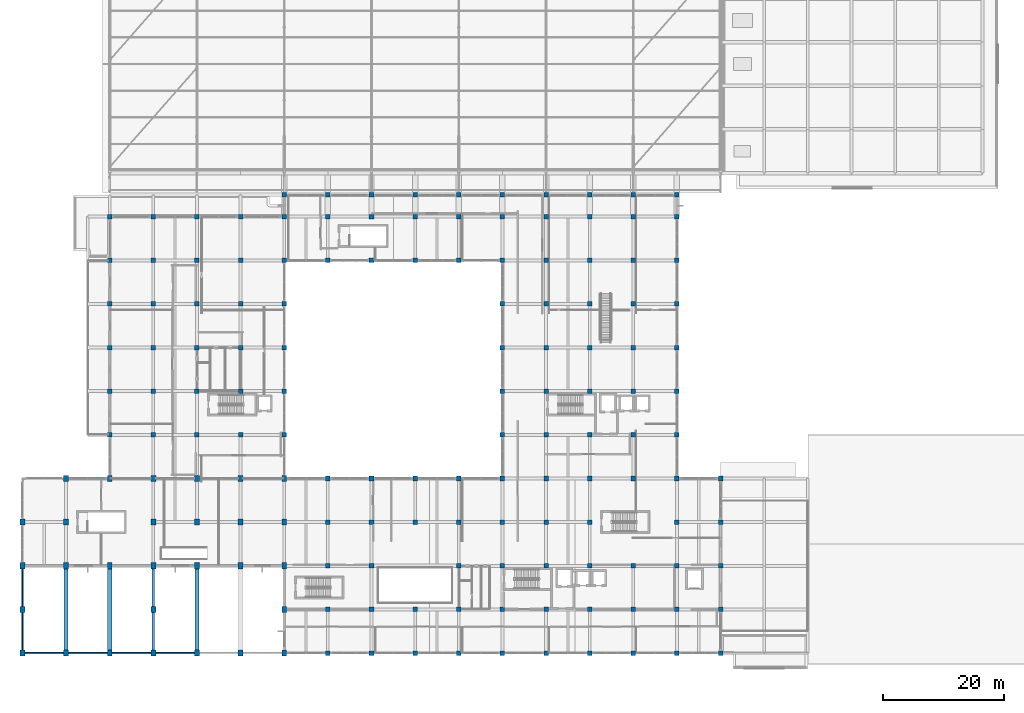
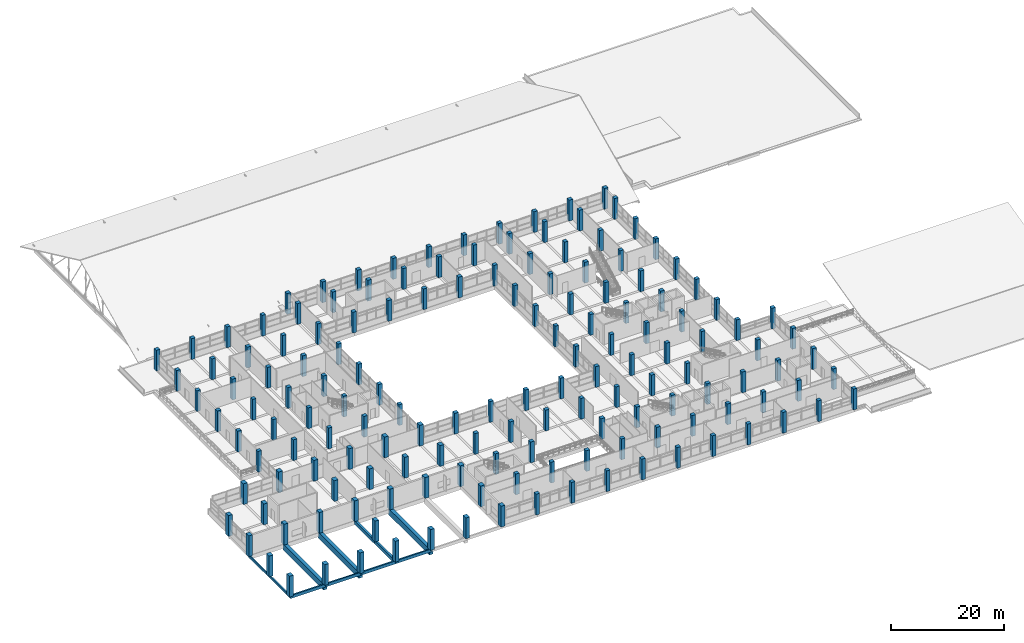
# One storey, part 1 of 141: 155 columns, 11 beams.
"""IFC4 building model written with IfcOpenShell, lengths in metres."""

from ifc_helpers import new_model, si_unit, direction, frame, origin, origin_2d, place, context, subcontext, project, spatial, rectangle, extrude, material, material_profile, profile_set, type_object, element, save


model = new_model("IFC4")

# Units and contexts
model_context = context("Model", 3, precision=1e-05, world=origin(), true_north=direction((0.0, 1.0)))
body_context = subcontext(model_context, "Body", "Model", "MODEL_VIEW")
ifc_project = project(units=[si_unit("LENGTHUNIT", "METRE"), si_unit("AREAUNIT", "SQUARE_METRE"), si_unit("VOLUMEUNIT", "CUBIC_METRE"), si_unit("PLANEANGLEUNIT", "RADIAN"), si_unit("MASSUNIT", "GRAM", prefix="KILO")], contexts=[model_context])

# Site, building, storey
site_placement = place(None, origin())
site = spatial("IfcSite", under=ifc_project, at=site_placement, CompositionType="ELEMENT")
building_placement = place(site_placement, origin())
building = spatial("IfcBuilding", under=site, at=building_placement, Name="Seraya Terrace Polytechnic", CompositionType="ELEMENT")
storey_placement = place(building_placement, frame((0.0, 0.0, 14.39990234375)))
storey = spatial("IfcBuildingStorey", under=building, at=storey_placement, Name="L03", CompositionType="ELEMENT", Elevation=14.39990234375)

# Columns
ifc_material = material(Name="Concrete C40/50", Category="concrete")
ifc_material_profile_1 = material_profile(ifc_material, rectangle(XDim=0.75, YDim=0.75, at=origin_2d()), Name="RC 750x750")
ifc_profile_set_1 = profile_set([ifc_material_profile_1], Name="Concrete C40/50")
column_type_1 = type_object("IfcColumnType", Name="C-06", PredefinedType="COLUMN", material=ifc_profile_set_1)
for number, where, z_axis, x_axis, name in (
    (1, (14.39990234375, 36.0, 0.0), (0.0, 0.0, 1.0), (1.0, 0.0, 0.0), "Column C-06 L03 (14.4, 36.0)"),
    (2, (14.39990234375, 43.199951171875, 0.0), (0.0, 0.0, 1.0), (1.0, 0.0, 0.0), "Column C-06 L03 (14.4, 43.2)"),
    (3, (14.39990234375, 50.39990234375, 0.0), (0.0, 0.0, 1.0), (1.0, 0.0, 0.0), "Column C-06 L03 (14.4, 50.4)"),
    (4, (14.39990234375, 57.60009765625, 0.0), (0.0, 0.0, 1.0), (1.0, 0.0, 0.0), "Column C-06 L03 (14.4, 57.6)"),
    (5, (14.39990234375, 64.800048828125, 0.0), (0.0, 0.0, 1.0), (1.0, 0.0, 0.0), "Column C-06 L03 (14.4, 64.8)"),
    (6, (14.39990234375, 72.0, 0.0), (0.0, 0.0, 1.0), (1.0, 0.0, 0.0), "Column C-06 L03 (14.4, 72.0)"),
    (7, (21.60009765625, 36.0, 0.0), (0.0, 0.0, 1.0), (1.0, 0.0, 0.0), "Column C-06 L03 (21.6, 36.0)"),
    (8, (21.60009765625, 43.199951171875, 0.0), (0.0, 0.0, 1.0), (1.0, 0.0, 0.0), "Column C-06 L03 (21.6, 43.2)"),
    (9, (21.60009765625, 50.39990234375, 0.0), (0.0, 0.0, 1.0), (1.0, 0.0, 0.0), "Column C-06 L03 (21.6, 50.4)"),
    (10, (21.60009765625, 57.60009765625, 0.0), (0.0, 0.0, 1.0), (1.0, 0.0, 0.0), "Column C-06 L03 (21.6, 57.6)"),
    (11, (21.60009765625, 64.800048828125, 0.0), (0.0, 0.0, 1.0), (1.0, 0.0, 0.0), "Column C-06 L03 (21.6, 64.8)"),
    (12, (21.60009765625, 72.0, 0.0), (0.0, 0.0, 1.0), (1.0, 0.0, 0.0), "Column C-06 L03 (21.6, 72.0)"),
    (13, (28.800048828125, 36.0, 0.0), (0.0, 0.0, 1.0), (1.0, 0.0, 0.0), "Column C-06 L03 (28.8, 36.0)"),
    (14, (28.800048828125, 43.199951171875, 0.0), (0.0, 0.0, 1.0), (1.0, 0.0, 0.0), "Column C-06 L03 (28.8, 43.2)"),
    (15, (28.800048828125, 50.39990234375, 0.0), (0.0, 0.0, 1.0), (1.0, 0.0, 0.0), "Column C-06 L03 (28.8, 50.4)"),
    (16, (28.800048828125, 57.60009765625, 0.0), (0.0, 0.0, 1.0), (1.0, 0.0, 0.0), "Column C-06 L03 (28.8, 57.6)"),
    (17, (28.800048828125, 64.800048828125, 0.0), (0.0, 0.0, 1.0), (1.0, 0.0, 0.0), "Column C-06 L03 (28.8, 64.8)"),
    (18, (28.800048828125, 72.0, 0.0), (0.0, 0.0, 1.0), (1.0, 0.0, 0.0), "Column C-06 L03 (28.8, 72.0)"),
    (19, (36.0, 36.0, 0.0), (0.0, 0.0, 1.0), (1.0, 0.0, 0.0), "Column C-06 L03 (36.0, 36.0)"),
    (20, (36.0, 43.199951171875, 0.0), (0.0, 0.0, 1.0), (1.0, 0.0, 0.0), "Column C-06 L03 (36.0, 43.2)"),
    (21, (36.0, 50.39990234375, 0.0), (0.0, 0.0, 1.0), (1.0, 0.0, 0.0), "Column C-06 L03 (36.0, 50.4)"),
    (22, (36.0, 57.60009765625, 0.0), (0.0, 0.0, 1.0), (1.0, 0.0, 0.0), "Column C-06 L03 (36.0, 57.6)"),
    (23, (36.0, 64.800048828125, 0.0), (0.0, 0.0, 1.0), (1.0, 0.0, 0.0), "Column C-06 L03 (36.0, 64.8)"),
    (24, (36.0, 72.0, 0.0), (0.0, 0.0, 1.0), (1.0, 0.0, 0.0), "Column C-06 L03 (36.0, 72.0)"),
    (25, (43.199951171875, 36.0, 0.0), (0.0, 0.0, 1.0), (1.0, 0.0, 0.0), "Column C-06 L03 (43.2, 36.0)"),
    (26, (43.199951171875, 43.199951171875, 0.0), (0.0, 0.0, 1.0), (1.0, 0.0, 0.0), "Column C-06 L03 (43.2, 43.2)"),
    (27, (43.199951171875, 50.39990234375, 0.0), (0.0, 0.0, 1.0), (1.0, 0.0, 0.0), "Column C-06 L03 (43.2, 50.4)"),
    (28, (43.199951171875, 57.60009765625, 0.0), (0.0, 0.0, 1.0), (1.0, 0.0, 0.0), "Column C-06 L03 (43.2, 57.6)"),
    (29, (43.199951171875, 64.800048828125, 0.0), (0.0, 0.0, 1.0), (1.0, 0.0, 0.0), "Column C-06 L03 (43.2, 64.8)"),
    (30, (43.199951171875, 72.0, 0.0), (0.0, 0.0, 1.0), (1.0, 0.0, 0.0), "Column C-06 L03 (43.2, 72.0)"),
    (31, (43.199951171875, 75.60009765625, 0.0), (0.0, 0.0, 1.0), (1.0, 0.0, 0.0), "Column C-06 L03 (43.2, 75.6)"),
    (32, (50.39990234375, 0.0, 0.0), (0.0, 0.0, 1.0), (1.0, 0.0, 0.0), "Column C-06 L03 (50.4, 0.0)"),
    (33, (50.39990234375, 7.199951171875, 0.0), (0.0, 0.0, 1.0), (1.0, 0.0, 0.0), "Column C-06 L03 (50.4, 7.2)"),
    (34, (50.39990234375, 14.39990234375, 0.0), (0.0, 0.0, 1.0), (1.0, 0.0, 0.0), "Column C-06 L03 (50.4, 14.4)"),
    (35, (50.39990234375, 21.60009765625, 0.0), (0.0, 0.0, 1.0), (1.0, 0.0, 0.0), "Column C-06 L03 (50.4, 21.6)"),
    (36, (50.39990234375, 28.800048828125, 0.0), (0.0, 0.0, 1.0), (1.0, 0.0, 0.0), "Column C-06 L03 (50.4, 28.8)"),
    (37, (50.39990234375, 64.800048828125, 0.0), (0.0, 0.0, 1.0), (1.0, 0.0, 0.0), "Column C-06 L03 (50.4, 64.8)"),
    (38, (50.39990234375, 72.0, 0.0), (0.0, 0.0, 1.0), (1.0, 0.0, 0.0), "Column C-06 L03 (50.4, 72.0)"),
    (39, (50.39990234375, 75.60009765625, 0.0), (0.0, 0.0, 1.0), (1.0, 0.0, 0.0), "Column C-06 L03 (50.4, 75.6)"),
    (40, (57.60009765625, 0.0, 0.0), (0.0, 0.0, 1.0), (1.0, 0.0, 0.0), "Column C-06 L03 (57.6, 0.0)"),
    (41, (57.60009765625, 7.199951171875, 0.0), (0.0, 0.0, 1.0), (1.0, 0.0, 0.0), "Column C-06 L03 (57.6, 7.2)"),
    (42, (57.60009765625, 14.39990234375, 0.0), (0.0, 0.0, 1.0), (1.0, 0.0, 0.0), "Column C-06 L03 (57.6, 14.4)"),
    (43, (57.60009765625, 21.60009765625, 0.0), (0.0, 0.0, 1.0), (1.0, 0.0, 0.0), "Column C-06 L03 (57.6, 21.6)"),
    (44, (57.60009765625, 28.800048828125, 0.0), (0.0, 0.0, 1.0), (1.0, 0.0, 0.0), "Column C-06 L03 (57.6, 28.8)"),
    (45, (57.60009765625, 64.800048828125, 0.0), (0.0, 0.0, 1.0), (1.0, 0.0, 0.0), "Column C-06 L03 (57.6, 64.8)"),
    (46, (57.60009765625, 72.0, 0.0), (0.0, 0.0, 1.0), (1.0, 0.0, 0.0), "Column C-06 L03 (57.6, 72.0)"),
    (47, (57.60009765625, 75.60009765625, 0.0), (0.0, 0.0, 1.0), (1.0, 0.0, 0.0), "Column C-06 L03 (57.6, 75.6)"),
    (48, (64.800048828125, 0.0, 0.0), (0.0, 0.0, 1.0), (1.0, 0.0, 0.0), "Column C-06 L03 (64.8, 0.0)"),
    (49, (64.800048828125, 7.199951171875, 0.0), (0.0, 0.0, 1.0), (1.0, 0.0, 0.0), "Column C-06 L03 (64.8, 7.2)"),
    (50, (64.800048828125, 21.60009765625, 0.0), (0.0, 0.0, 1.0), (1.0, 0.0, 0.0), "Column C-06 L03 (64.8, 21.6)"),
    (51, (64.800048828125, 28.800048828125, 0.0), (0.0, 0.0, 1.0), (1.0, 0.0, 0.0), "Column C-06 L03 (64.8, 28.8)"),
    (52, (64.800048828125, 64.800048828125, 0.0), (0.0, 0.0, 1.0), (1.0, 0.0, 0.0), "Column C-06 L03 (64.8, 64.8)"),
    (53, (64.800048828125, 72.0, 0.0), (0.0, 0.0, 1.0), (1.0, 0.0, 0.0), "Column C-06 L03 (64.8, 72.0)"),
    (54, (64.800048828125, 75.60009765625, 0.0), (0.0, 0.0, 1.0), (1.0, 0.0, 0.0), "Column C-06 L03 (64.8, 75.6)"),
    (55, (72.0, 0.0, 0.0), (0.0, 0.0, 1.0), (1.0, 0.0, 0.0), "Column C-06 L03 (72.0, 0.0)"),
    (56, (72.0, 7.199951171875, 0.0), (0.0, 0.0, 1.0), (1.0, 0.0, 0.0), "Column C-06 L03 (72.0, 7.2)"),
    (57, (72.0, 14.39990234375, 0.0), (0.0, 0.0, 1.0), (1.0, 0.0, 0.0), "Column C-06 L03 (72.0, 14.4)"),
    (58, (72.0, 21.60009765625, 0.0), (0.0, 0.0, 1.0), (1.0, 0.0, 0.0), "Column C-06 L03 (72.0, 21.6)"),
    (59, (72.0, 28.800048828125, 0.0), (0.0, 0.0, 1.0), (1.0, 0.0, 0.0), "Column C-06 L03 (72.0, 28.8)"),
    (60, (72.0, 64.800048828125, 0.0), (0.0, 0.0, 1.0), (1.0, 0.0, 0.0), "Column C-06 L03 (72.0, 64.8)"),
    (61, (72.0, 72.0, 0.0), (0.0, 0.0, 1.0), (1.0, 0.0, 0.0), "Column C-06 L03 (72.0, 72.0)"),
    (62, (72.0, 75.60009765625, 0.0), (0.0, 0.0, 1.0), (1.0, 0.0, 0.0), "Column C-06 L03 (72.0, 75.6)"),
    (63, (79.199951171875, 0.0, 0.0), (0.0, 0.0, 1.0), (1.0, 0.0, 0.0), "Column C-06 L03 (79.2, 0.0)"),
    (64, (79.199951171875, 7.199951171875, 0.0), (0.0, 0.0, 1.0), (1.0, 0.0, 0.0), "Column C-06 L03 (79.2, 7.2)"),
    (65, (79.199951171875, 14.39990234375, 0.0), (0.0, 0.0, 1.0), (1.0, 0.0, 0.0), "Column C-06 L03 (79.2, 14.4)"),
    (66, (79.199951171875, 21.60009765625, 0.0), (0.0, 0.0, 1.0), (1.0, 0.0, 0.0), "Column C-06 L03 (79.2, 21.6)"),
    (67, (79.199951171875, 28.800048828125, 0.0), (0.0, 0.0, 1.0), (1.0, 0.0, 0.0), "Column C-06 L03 (79.2, 28.8)"),
    (68, (79.199951171875, 36.0, 0.0), (0.0, 0.0, 1.0), (1.0, 0.0, 0.0), "Column C-06 L03 (79.2, 36.0)"),
    (69, (79.199951171875, 43.199951171875, 0.0), (0.0, 0.0, 1.0), (1.0, 0.0, 0.0), "Column C-06 L03 (79.2, 43.2)"),
    (70, (79.199951171875, 50.39990234375, 0.0), (0.0, 0.0, 1.0), (1.0, 0.0, 0.0), "Column C-06 L03 (79.2, 50.4)"),
    (71, (79.199951171875, 57.60009765625, 0.0), (0.0, 0.0, 1.0), (1.0, 0.0, 0.0), "Column C-06 L03 (79.2, 57.6)"),
    (72, (79.199951171875, 64.800048828125, 0.0), (0.0, 0.0, 1.0), (1.0, 0.0, 0.0), "Column C-06 L03 (79.2, 64.8)"),
    (73, (79.199951171875, 72.0, 0.0), (0.0, 0.0, 1.0), (1.0, 0.0, 0.0), "Column C-06 L03 (79.2, 72.0)"),
    (74, (79.199951171875, 75.60009765625, 0.0), (0.0, 0.0, 1.0), (1.0, 0.0, 0.0), "Column C-06 L03 (79.2, 75.6)"),
    (75, (86.39990234375, 0.0, 0.0), (0.0, 0.0, 1.0), (1.0, 0.0, 0.0), "Column C-06 L03 (86.4, 0.0)"),
    (76, (86.39990234375, 7.199951171875, 0.0), (0.0, 0.0, 1.0), (1.0, 0.0, 0.0), "Column C-06 L03 (86.4, 7.2)"),
    (77, (86.39990234375, 14.39990234375, 0.0), (0.0, 0.0, 1.0), (1.0, 0.0, 0.0), "Column C-06 L03 (86.4, 14.4)"),
    (78, (86.39990234375, 21.60009765625, 0.0), (0.0, 0.0, 1.0), (1.0, 0.0, 0.0), "Column C-06 L03 (86.4, 21.6)"),
    (79, (86.39990234375, 28.800048828125, 0.0), (0.0, 0.0, 1.0), (1.0, 0.0, 0.0), "Column C-06 L03 (86.4, 28.8)"),
    (80, (86.39990234375, 36.0, 0.0), (0.0, 0.0, 1.0), (1.0, 0.0, 0.0), "Column C-06 L03 (86.4, 36.0)"),
    (81, (86.39990234375, 43.199951171875, 0.0), (0.0, 0.0, 1.0), (1.0, 0.0, 0.0), "Column C-06 L03 (86.4, 43.2)"),
    (82, (86.39990234375, 50.39990234375, 0.0), (0.0, 0.0, 1.0), (1.0, 0.0, 0.0), "Column C-06 L03 (86.4, 50.4)"),
    (83, (86.39990234375, 57.60009765625, 0.0), (0.0, 0.0, 1.0), (1.0, 0.0, 0.0), "Column C-06 L03 (86.4, 57.6)"),
    (84, (86.39990234375, 64.800048828125, 0.0), (0.0, 0.0, 1.0), (1.0, 0.0, 0.0), "Column C-06 L03 (86.4, 64.8)"),
    (85, (86.39990234375, 72.0, 0.0), (0.0, 0.0, 1.0), (1.0, 0.0, 0.0), "Column C-06 L03 (86.4, 72.0)"),
    (86, (86.39990234375, 75.60009765625, 0.0), (0.0, 0.0, 1.0), (1.0, 0.0, 0.0), "Column C-06 L03 (86.4, 75.6)"),
    (87, (93.60009765625, 0.0, 0.0), (0.0, 0.0, 1.0), (1.0, 0.0, 0.0), "Column C-06 L03 (93.6, 0.0)"),
    (88, (93.60009765625, 7.199951171875, 0.0), (0.0, 0.0, 1.0), (1.0, 0.0, 0.0), "Column C-06 L03 (93.6, 7.2)"),
    (89, (93.60009765625, 14.39990234375, 0.0), (0.0, 0.0, 1.0), (1.0, 0.0, 0.0), "Column C-06 L03 (93.6, 14.4)"),
    (90, (93.60009765625, 21.60009765625, 0.0), (0.0, 0.0, 1.0), (1.0, 0.0, 0.0), "Column C-06 L03 (93.6, 21.6)"),
    (91, (93.60009765625, 28.800048828125, 0.0), (0.0, 0.0, 1.0), (1.0, 0.0, 0.0), "Column C-06 L03 (93.6, 28.8)"),
    (92, (93.60009765625, 36.0, 0.0), (0.0, 0.0, 1.0), (1.0, 0.0, 0.0), "Column C-06 L03 (93.6, 36.0)"),
    (93, (93.60009765625, 43.199951171875, 0.0), (0.0, 0.0, 1.0), (1.0, 0.0, 0.0), "Column C-06 L03 (93.6, 43.2)"),
    (94, (93.60009765625, 50.39990234375, 0.0), (0.0, 0.0, 1.0), (1.0, 0.0, 0.0), "Column C-06 L03 (93.6, 50.4)"),
    (95, (93.60009765625, 57.60009765625, 0.0), (0.0, 0.0, 1.0), (1.0, 0.0, 0.0), "Column C-06 L03 (93.6, 57.6)"),
    (96, (93.60009765625, 64.800048828125, 0.0), (0.0, 0.0, 1.0), (1.0, 0.0, 0.0), "Column C-06 L03 (93.6, 64.8)"),
    (97, (93.60009765625, 72.0, 0.0), (0.0, 0.0, 1.0), (1.0, 0.0, 0.0), "Column C-06 L03 (93.6, 72.0)"),
    (98, (93.60009765625, 75.60009765625, 0.0), (0.0, 0.0, 1.0), (1.0, 0.0, 0.0), "Column C-06 L03 (93.6, 75.6)"),
    (99, (100.800048828125, 0.0, 0.0), (0.0, 0.0, 1.0), (1.0, 0.0, 0.0), "Column C-06 L03 (100.8, 0.0)"),
    (100, (100.800048828125, 7.199951171875, 0.0), (0.0, 0.0, 1.0), (1.0, 0.0, 0.0), "Column C-06 L03 (100.8, 7.2)"),
    (101, (100.800048828125, 14.39990234375, 0.0), (0.0, 0.0, 1.0), (1.0, 0.0, 0.0), "Column C-06 L03 (100.8, 14.4)"),
    (102, (100.800048828125, 28.800048828125, 0.0), (0.0, 0.0, 1.0), (1.0, 0.0, 0.0), "Column C-06 L03 (100.8, 28.8)"),
    (103, (100.800048828125, 36.0, 0.0), (0.0, 0.0, 1.0), (1.0, 0.0, 0.0), "Column C-06 L03 (100.8, 36.0)"),
    (104, (100.800048828125, 43.199951171875, 0.0), (0.0, 0.0, 1.0), (1.0, 0.0, 0.0), "Column C-06 L03 (100.8, 43.2)"),
    (105, (100.800048828125, 50.39990234375, 0.0), (0.0, 0.0, 1.0), (1.0, 0.0, 0.0), "Column C-06 L03 (100.8, 50.4)"),
    (106, (100.800048828125, 57.60009765625, 0.0), (0.0, 0.0, 1.0), (1.0, 0.0, 0.0), "Column C-06 L03 (100.8, 57.6)"),
    (107, (100.800048828125, 64.800048828125, 0.0), (0.0, 0.0, 1.0), (1.0, 0.0, 0.0), "Column C-06 L03 (100.8, 64.8)"),
    (108, (100.800048828125, 72.0, 0.0), (0.0, 0.0, 1.0), (1.0, 0.0, 0.0), "Column C-06 L03 (100.8, 72.0)"),
    (109, (100.800048828125, 75.60009765625, 0.0), (0.0, 0.0, 1.0), (1.0, 0.0, 0.0), "Column C-06 L03 (100.8, 75.6)"),
    (110, (108.0, 0.0, 0.0), (0.0, 0.0, 1.0), (1.0, 0.0, 0.0), "Column C-06 L03 (108.0, 0.0)"),
    (111, (108.0, 7.199951171875, 0.0), (0.0, 0.0, 1.0), (1.0, 0.0, 0.0), "Column C-06 L03 (108.0, 7.2)"),
    (112, (108.0, 14.39990234375, 0.0), (0.0, 0.0, 1.0), (1.0, 0.0, 0.0), "Column C-06 L03 (108.0, 14.4)"),
    (113, (108.0, 21.60009765625, 0.0), (0.0, 0.0, 1.0), (1.0, 0.0, 0.0), "Column C-06 L03 (108.0, 21.6)"),
    (114, (108.0, 28.800048828125, 0.0), (0.0, 0.0, 1.0), (1.0, 0.0, 0.0), "Column C-06 L03 (108.0, 28.8)"),
    (115, (108.0, 36.0, 0.0), (0.0, 0.0, 1.0), (1.0, 0.0, 0.0), "Column C-06 L03 (108.0, 36.0)"),
    (116, (108.0, 43.199951171875, 0.0), (0.0, 0.0, 1.0), (1.0, 0.0, 0.0), "Column C-06 L03 (108.0, 43.2)"),
    (117, (108.0, 50.39990234375, 0.0), (0.0, 0.0, 1.0), (1.0, 0.0, 0.0), "Column C-06 L03 (108.0, 50.4)"),
    (118, (108.0, 57.60009765625, 0.0), (0.0, 0.0, 1.0), (1.0, 0.0, 0.0), "Column C-06 L03 (108.0, 57.6)"),
    (119, (108.0, 64.800048828125, 0.0), (0.0, 0.0, 1.0), (1.0, 0.0, 0.0), "Column C-06 L03 (108.0, 64.8)"),
    (120, (108.0, 72.0, 0.0), (0.0, 0.0, 1.0), (1.0, 0.0, 0.0), "Column C-06 L03 (108.0, 72.0)"),
    (121, (108.0, 75.60009765625, 0.0), (0.0, 0.0, 1.0), (1.0, 0.0, 0.0), "Column C-06 L03 (108.0, 75.6)"),
    (122, (115.199951171875, 0.0, 0.0), (0.0, 0.0, 1.0), (1.0, 0.0, 0.0), "Column C-06 L03 (115.2, 0.0)"),
    (123, (115.199951171875, 7.199951171875, 0.0), (0.0, 0.0, 1.0), (1.0, 0.0, 0.0), "Column C-06 L03 (115.2, 7.2)"),
    (124, (115.199951171875, 14.39990234375, 0.0), (0.0, 0.0, 1.0), (1.0, 0.0, 0.0), "Column C-06 L03 (115.2, 14.4)"),
    (125, (115.199951171875, 21.60009765625, 0.0), (0.0, 0.0, 1.0), (1.0, 0.0, 0.0), "Column C-06 L03 (115.2, 21.6)"),
    (126, (115.199951171875, 28.800048828125, 0.0), (0.0, 0.0, 1.0), (1.0, 0.0, 0.0), "Column C-06 L03 (115.2, 28.8)"),
):
    element("IfcColumn", number, at=place(storey_placement, frame(where, z_axis=z_axis, x_axis=x_axis)), inside=storey, type_object=column_type_1, Name=name, PredefinedType="COLUMN", context=body_context, shape_type="SweptSolid", body=[
        extrude(rectangle(XDim=0.75, YDim=0.75, at=origin_2d()), origin(), (0.0, 0.0, 1.0), 4.5),
    ])
ifc_material_profile_2 = material_profile(ifc_material, rectangle(XDim=0.800048828125, YDim=1.0, at=origin_2d()), Name="RC 800x1000")
ifc_profile_set_2 = profile_set([ifc_material_profile_2], Name="Concrete C40/50")
column_type_2 = type_object("IfcColumnType", Name="C-14", PredefinedType="COLUMN", material=ifc_profile_set_2)
for number, where, z_axis, x_axis, name in (
    (127, (0.0, 0.0, 0.0), (0.0, 0.0, 1.0), (1.0, 0.0, 0.0), "Column C-14 L03 (0.0, 0.0)"),
    (128, (0.0, 7.199951171875, 0.0), (0.0, 0.0, 1.0), (1.0, 0.0, 0.0), "Column C-14 L03 (0.0, 7.2)"),
    (129, (0.0, 14.39990234375, 0.0), (0.0, 0.0, 1.0), (1.0, 0.0, 0.0), "Column C-14 L03 (0.0, 14.4)"),
    (130, (0.0, 21.60009765625, 0.0), (0.0, 0.0, 1.0), (1.0, 0.0, 0.0), "Column C-14 L03 (0.0, 21.6)"),
    (131, (7.199951171875, 0.0, 0.0), (0.0, 0.0, 1.0), (1.0, 0.0, 0.0), "Column C-14 L03 (7.2, 0.0)"),
    (132, (7.199951171875, 14.39990234375, 0.0), (0.0, 0.0, 1.0), (1.0, 0.0, 0.0), "Column C-14 L03 (7.2, 14.4)"),
    (133, (7.199951171875, 21.60009765625, 0.0), (0.0, 0.0, 1.0), (1.0, 0.0, 0.0), "Column C-14 L03 (7.2, 21.6)"),
    (134, (7.199951171875, 28.800048828125, 0.0), (0.0, 0.0, 1.0), (1.0, 0.0, 0.0), "Column C-14 L03 (7.2, 28.8)"),
    (135, (14.39990234375, 0.0, 0.0), (0.0, 0.0, 1.0), (1.0, 0.0, 0.0), "Column C-14 L03 (14.4, 0.0)"),
    (136, (14.39990234375, 14.39990234375, 0.0), (0.0, 0.0, 1.0), (1.0, 0.0, 0.0), "Column C-14 L03 (14.4, 14.4)"),
    (137, (14.39990234375, 28.800048828125, 0.0), (0.0, 0.0, 1.0), (1.0, 0.0, 0.0), "Column C-14 L03 (14.4, 28.8)"),
    (138, (21.60009765625, 0.0, 0.0), (0.0, 0.0, 1.0), (1.0, 0.0, 0.0), "Column C-14 L03 (21.6, 0.0)"),
    (139, (21.60009765625, 7.199951171875, 0.0), (0.0, 0.0, 1.0), (1.0, 0.0, 0.0), "Column C-14 L03 (21.6, 7.2)"),
    (140, (21.60009765625, 14.39990234375, 0.0), (0.0, 0.0, 1.0), (1.0, 0.0, 0.0), "Column C-14 L03 (21.6, 14.4)"),
    (141, (21.60009765625, 21.60009765625, 0.0), (0.0, 0.0, 1.0), (1.0, 0.0, 0.0), "Column C-14 L03 (21.6, 21.6)"),
    (142, (21.60009765625, 28.800048828125, 0.0), (0.0, 0.0, 1.0), (1.0, 0.0, 0.0), "Column C-14 L03 (21.6, 28.8)"),
    (143, (28.800048828125, 0.0, 0.0), (0.0, 0.0, 1.0), (1.0, 0.0, 0.0), "Column C-14 L03 (28.8, 0.0)"),
    (144, (28.800048828125, 14.39990234375, 0.0), (0.0, 0.0, 1.0), (1.0, 0.0, 0.0), "Column C-14 L03 (28.8, 14.4)"),
    (145, (28.800048828125, 21.60009765625, 0.0), (0.0, 0.0, 1.0), (1.0, 0.0, 0.0), "Column C-14 L03 (28.8, 21.6)"),
    (146, (28.800048828125, 28.800048828125, 0.0), (0.0, 0.0, 1.0), (1.0, 0.0, 0.0), "Column C-14 L03 (28.8, 28.8)"),
    (147, (36.0, 0.0, 0.0), (0.0, 0.0, 1.0), (1.0, 0.0, 0.0), "Column C-14 L03 (36.0, 0.0)"),
    (148, (36.0, 14.39990234375, 0.0), (0.0, 0.0, 1.0), (1.0, 0.0, 0.0), "Column C-14 L03 (36.0, 14.4)"),
    (149, (36.0, 21.60009765625, 0.0), (0.0, 0.0, 1.0), (1.0, 0.0, 0.0), "Column C-14 L03 (36.0, 21.6)"),
    (150, (36.0, 28.800048828125, 0.0), (0.0, 0.0, 1.0), (1.0, 0.0, 0.0), "Column C-14 L03 (36.0, 28.8)"),
    (151, (43.199951171875, 0.0, 0.0), (0.0, 0.0, 1.0), (1.0, 0.0, 0.0), "Column C-14 L03 (43.2, 0.0)"),
    (152, (43.199951171875, 7.199951171875, 0.0), (0.0, 0.0, 1.0), (1.0, 0.0, 0.0), "Column C-14 L03 (43.2, 7.2)"),
    (153, (43.199951171875, 14.39990234375, 0.0), (0.0, 0.0, 1.0), (1.0, 0.0, 0.0), "Column C-14 L03 (43.2, 14.4)"),
    (154, (43.199951171875, 21.60009765625, 0.0), (0.0, 0.0, 1.0), (1.0, 0.0, 0.0), "Column C-14 L03 (43.2, 21.6)"),
    (155, (43.199951171875, 28.800048828125, 0.0), (0.0, 0.0, 1.0), (1.0, 0.0, 0.0), "Column C-14 L03 (43.2, 28.8)"),
):
    element("IfcColumn", number, at=place(storey_placement, frame(where, z_axis=z_axis, x_axis=x_axis)), inside=storey, type_object=column_type_2, Name=name, PredefinedType="COLUMN", context=body_context, shape_type="SweptSolid", body=[
        extrude(rectangle(XDim=0.800048828125, YDim=1.0, at=origin_2d()), origin(), (0.0, 0.0, 1.0), 4.5),
    ])

# Beams
ifc_material_profile_3 = material_profile(ifc_material, rectangle(XDim=0.699951171875, YDim=1.300048828125, at=origin_2d()), Name="RC 700x1300")
ifc_profile_set_3 = profile_set([ifc_material_profile_3], Name="Concrete C40/50")
beam_type_1 = type_object("IfcBeamType", Name="BG-01", PredefinedType="USERDEFINED", material=ifc_profile_set_3)
for number, where, z_axis, x_axis, name in (
    (156, (7.199951171875, 0.0, -0.64990234375), (0.0, 1.0, 0.0), (-1.0, 0.0, 0.0), "Beam BG-01 L03 Y (7.2, 0.0..14.4)"),
    (157, (14.39990234375, 0.0, -0.64990234375), (0.0, 1.0, 0.0), (-1.0, 0.0, 0.0), "Beam BG-01 L03 Y (14.4, 0.0..14.4)"),
    (158, (28.800048828125, 0.0, -0.64990234375), (0.0, 1.0, 0.0), (-1.0, 0.0, 0.0), "Beam BG-01 L03 Y (28.8, 0.0..14.4)"),
):
    element("IfcBeam", number, at=place(storey_placement, frame(where, z_axis=z_axis, x_axis=x_axis)), inside=storey, type_object=beam_type_1, Name=name, ObjectType="GIRDER", PredefinedType="USERDEFINED", context=body_context, shape_type="SweptSolid", body=[
        extrude(rectangle(XDim=0.699951171875, YDim=1.300048828125, at=origin_2d()), origin(), (0.0, 0.0, 1.0), 14.39990234375),
    ])
ifc_material_profile_4 = material_profile(ifc_material, rectangle(XDim=0.449951171875, YDim=0.75, at=origin_2d()), Name="RC 450x750")
ifc_profile_set_4 = profile_set([ifc_material_profile_4], Name="Concrete C40/50")
beam_type_2 = type_object("IfcBeamType", Name="BM-08", PredefinedType="BEAM", material=ifc_profile_set_4)
for number, where, z_axis, x_axis, name in (
    (159, (21.60009765625, 0.0, -0.375), (0.0, 1.0, 0.0), (-1.0, 0.0, 0.0), "Beam BM-08 L03 Y (21.6, 0.0..7.2)"),
    (160, (21.60009765625, 7.199951171875, -0.375), (0.0, 1.0, 0.0), (-1.0, 0.0, 0.0), "Beam BM-08 L03 Y (21.6, 7.2..14.4)"),
):
    element("IfcBeam", number, at=place(storey_placement, frame(where, z_axis=z_axis, x_axis=x_axis)), inside=storey, type_object=beam_type_2, Name=name, PredefinedType="BEAM", context=body_context, shape_type="SweptSolid", body=[
        extrude(rectangle(XDim=0.449951171875, YDim=0.75, at=origin_2d()), origin(), (0.0, 0.0, 1.0), 7.199951171875),
    ])
ifc_material_profile_5 = material_profile(ifc_material, rectangle(XDim=0.300048828125, YDim=0.64990234375, at=origin_2d()), Name="RC 300x650")
ifc_profile_set_5 = profile_set([ifc_material_profile_5], Name="Concrete C40/50")
beam_type_3 = type_object("IfcBeamType", Name="SP-01", PredefinedType="SPANDREL", material=ifc_profile_set_5)
for number, where, z_axis, x_axis, name in (
    (161, (0.0, 0.0, -0.324951171875), (1.0, 0.0, 0.0), (0.0, 1.0, 0.0), "Beam SP-01 L03 X (0.0..7.2, 0.0)"),
    (162, (7.199951171875, 0.0, -0.324951171875), (1.0, 0.0, 0.0), (0.0, 1.0, 0.0), "Beam SP-01 L03 X (7.2..14.4, 0.0)"),
):
    element("IfcBeam", number, at=place(storey_placement, frame(where, z_axis=z_axis, x_axis=x_axis)), inside=storey, type_object=beam_type_3, Name=name, PredefinedType="SPANDREL", context=body_context, shape_type="SweptSolid", body=[
        extrude(rectangle(XDim=0.300048828125, YDim=0.64990234375, at=origin_2d()), origin(), (0.0, 0.0, 1.0), 7.199951171875),
    ])
beam_1_placement = place(storey_placement, frame((14.39990234375, 0.0, -0.324951171875), z_axis=(1.0, 0.0, 0.0), x_axis=(0.0, 1.0, 0.0)))
element("IfcBeam", 163, at=beam_1_placement, inside=storey, type_object=beam_type_3, Name="Beam SP-01 L03 X (14.4..21.6, 0.0)", PredefinedType="SPANDREL", context=body_context, shape_type="SweptSolid", body=[
    extrude(rectangle(XDim=0.300048828125, YDim=0.64990234375, at=origin_2d()), origin(), (0.0, 0.0, 1.0), 7.2001953125),
])
beam_2_placement = place(storey_placement, frame((21.60009765625, 0.0, -0.324951171875), z_axis=(1.0, 0.0, 0.0), x_axis=(0.0, 1.0, 0.0)))
element("IfcBeam", 164, at=beam_2_placement, inside=storey, type_object=beam_type_3, Name="Beam SP-01 L03 X (21.6..28.8, 0.0)", PredefinedType="SPANDREL", context=body_context, shape_type="SweptSolid", body=[
    extrude(rectangle(XDim=0.300048828125, YDim=0.64990234375, at=origin_2d()), origin(), (0.0, 0.0, 1.0), 7.199951171875),
])
ifc_material_profile_6 = material_profile(ifc_material, rectangle(XDim=0.25, YDim=0.5, at=origin_2d()), Name="RC 250x500")
ifc_profile_set_6 = profile_set([ifc_material_profile_6], Name="Concrete C40/50")
beam_type_4 = type_object("IfcBeamType", Name="SP-03", PredefinedType="SPANDREL", material=ifc_profile_set_6)
for number, where, z_axis, x_axis, name in (
    (165, (0.0, 0.0, -0.25), (0.0, 1.0, 0.0), (-1.0, 0.0, 0.0), "Beam SP-03 L03 Y (0.0, 0.0..7.2)"),
    (166, (0.0, 7.199951171875, -0.25), (0.0, 1.0, 0.0), (-1.0, 0.0, 0.0), "Beam SP-03 L03 Y (0.0, 7.2..14.4)"),
):
    element("IfcBeam", number, at=place(storey_placement, frame(where, z_axis=z_axis, x_axis=x_axis)), inside=storey, type_object=beam_type_4, Name=name, PredefinedType="SPANDREL", context=body_context, shape_type="SweptSolid", body=[
        extrude(rectangle(XDim=0.25, YDim=0.5, at=origin_2d()), origin(), (0.0, 0.0, 1.0), 7.199951171875),
    ])

save(model, "model.ifc")
